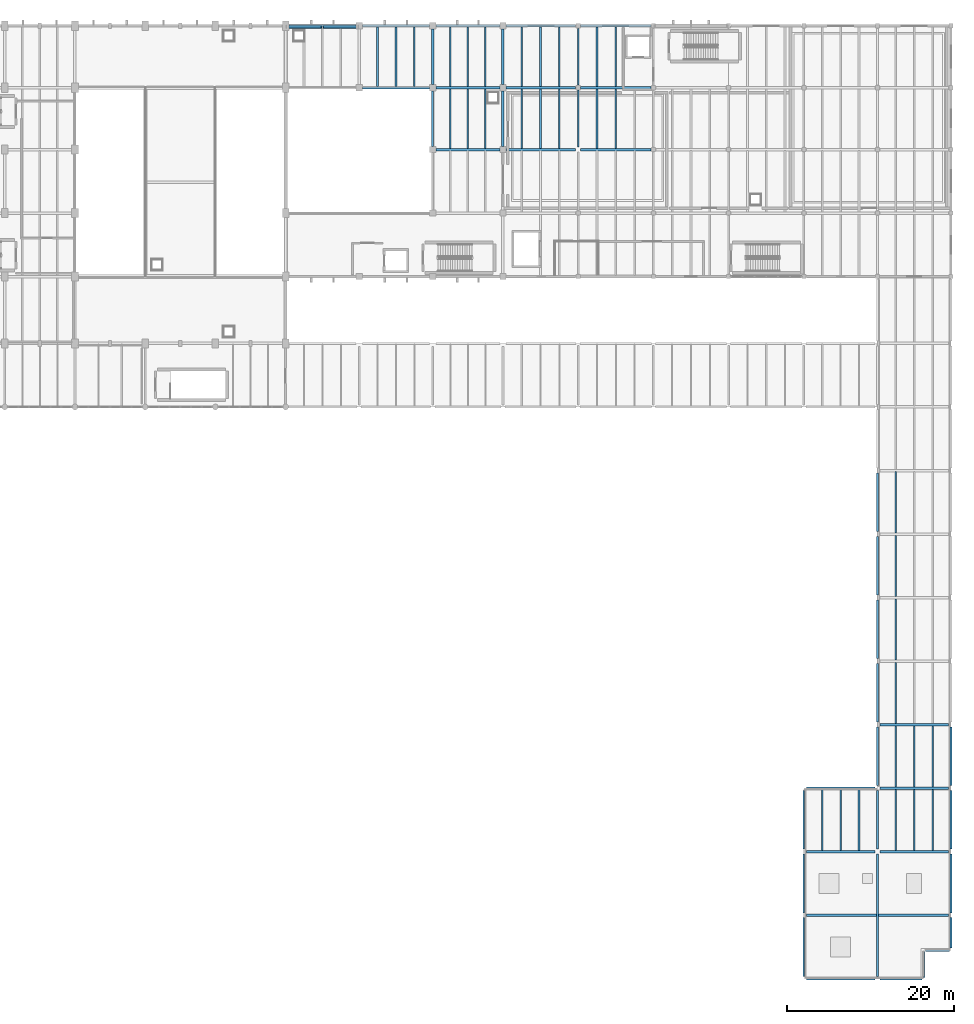
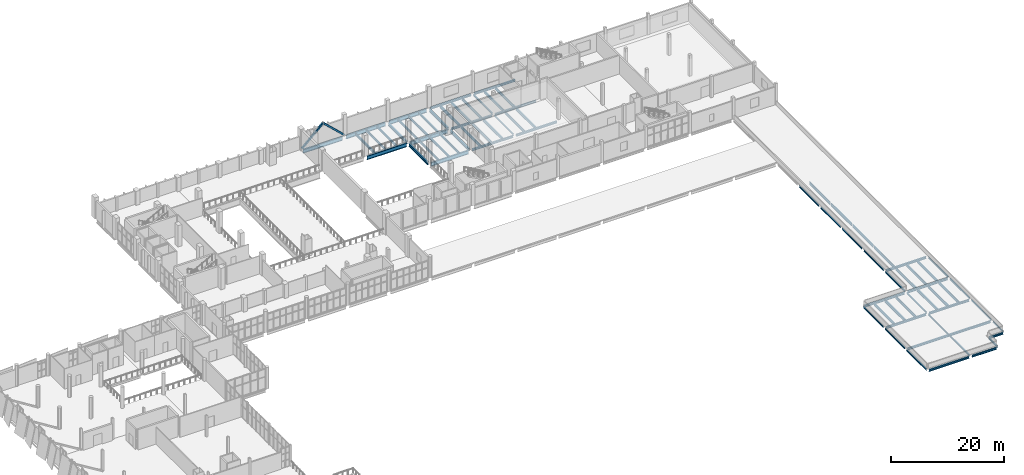
# One storey, part 40 of 74: 74 beams, 2 members.
"""IFC4 building model written with IfcOpenShell, lengths in metres."""

from ifc_helpers import new_model, si_unit, direction, frame, origin, origin_2d, place, context, subcontext, project, spatial, hollow_rectangle, i_section, extrude, material, material_profile, profile_set, type_object, element, save


model = new_model("IFC4")

# Units and contexts
model_context = context("Model", 3, precision=1e-05, world=origin(), true_north=direction((0.0, 1.0)))
body_context = subcontext(model_context, "Body", "Model", "MODEL_VIEW")
ifc_project = project(units=[si_unit("LENGTHUNIT", "METRE"), si_unit("AREAUNIT", "SQUARE_METRE"), si_unit("VOLUMEUNIT", "CUBIC_METRE"), si_unit("PLANEANGLEUNIT", "RADIAN"), si_unit("MASSUNIT", "GRAM", prefix="KILO")], contexts=[model_context])

# Site, building, storey
site_placement = place(None, origin())
site = spatial("IfcSite", under=ifc_project, at=site_placement, CompositionType="ELEMENT")
building_placement = place(site_placement, origin())
building = spatial("IfcBuilding", under=site, at=building_placement, Name="Shengluoqiao Park Theatre", CompositionType="ELEMENT")
storey_placement = place(building_placement, frame((0.0, 0.0, 14.60009765625)))
storey = spatial("IfcBuildingStorey", under=building, at=storey_placement, Name="L03", CompositionType="ELEMENT", Elevation=14.60009765625)

# Beams
ifc_material_1 = material(Name="Steel Q355", Category="steel")
ifc_material_profile_1 = material_profile(ifc_material_1, i_section(OverallWidth=0.199951171875, OverallDepth=0.2939453125, WebThickness=0.008056640625, FlangeThickness=0.011962890625, FilletRadius=0.01611328125, at=origin_2d()), Name="HM 294x200x8x12")
ifc_profile_set_1 = profile_set([ifc_material_profile_1], Name="Steel Q355")
beam_type_1 = type_object("IfcBeamType", Name="STR-BM-G-HM294", PredefinedType="BEAM", material=ifc_profile_set_1)
for number, where, z_axis, x_axis, name in (
    (1, (121.39990234375, 99.493896484375, -0.38720703125), (0.0, 1.0, 0.0), (-1.0, 0.0, 0.0), "L03 Transverse Girder 01389"),
    (2, (121.39990234375, 106.89404296875, -0.38720703125), (0.0, 1.0, 0.0), (-1.0, 0.0, 0.0), "L03 Transverse Girder 01390"),
):
    element("IfcBeam", number, at=place(storey_placement, frame(where, z_axis=z_axis, x_axis=x_axis)), inside=storey, type_object=beam_type_1, Name=name, PredefinedType="BEAM", context=body_context, shape_type="SweptSolid", body=[
        extrude(i_section(OverallWidth=0.199951171875, OverallDepth=0.2939453125, WebThickness=0.008056640625, FlangeThickness=0.011962890625, FilletRadius=0.01611328125, at=origin_2d()), origin(), (0.0, 0.0, 1.0), 6.81201171875),
    ])
for number, where, z_axis, x_axis, name in (
    (3, (148.39990234375, 0.2939453125, -0.397216796875), (0.0, 1.0, 0.0), (-1.0, 0.0, 0.0), "L03 Transverse Girder 01793"),
    (4, (148.39990234375, 7.89404296875, -0.397216796875), (0.0, 1.0, 0.0), (-1.0, 0.0, 0.0), "L03 Transverse Girder 01794"),
):
    element("IfcBeam", number, at=place(storey_placement, frame(where, z_axis=z_axis, x_axis=x_axis)), inside=storey, type_object=beam_type_1, Name=name, PredefinedType="BEAM", context=body_context, shape_type="SweptSolid", body=[
        extrude(i_section(OverallWidth=0.199951171875, OverallDepth=0.2939453125, WebThickness=0.008056640625, FlangeThickness=0.011962890625, FilletRadius=0.01611328125, at=origin_2d()), origin(), (0.0, 0.0, 1.0), 7.011962890625),
    ])
beam_1_placement = place(storey_placement, frame((148.39990234375, 15.493896484375, -0.397216796875), z_axis=(0.0, 1.0, 0.0), x_axis=(-1.0, 0.0, 0.0)))
element("IfcBeam", 5, at=beam_1_placement, inside=storey, type_object=beam_type_1, Name="L03 Transverse Girder 01795", PredefinedType="BEAM", context=body_context, shape_type="SweptSolid", body=[
    extrude(i_section(OverallWidth=0.199951171875, OverallDepth=0.2939453125, WebThickness=0.008056640625, FlangeThickness=0.011962890625, FilletRadius=0.01611328125, at=origin_2d()), origin(), (0.0, 0.0, 1.0), 7.01220703125),
])
beam_2_placement = place(storey_placement, frame((157.199951171875, 0.2939453125, -0.397216796875), z_axis=(0.0, 1.0, 0.0), x_axis=(-1.0, 0.0, 0.0)))
element("IfcBeam", 6, at=beam_2_placement, inside=storey, type_object=beam_type_1, Name="L03 Transverse Girder 01796", PredefinedType="BEAM", context=body_context, shape_type="SweptSolid", body=[
    extrude(i_section(OverallWidth=0.199951171875, OverallDepth=0.2939453125, WebThickness=0.008056640625, FlangeThickness=0.011962890625, FilletRadius=0.01611328125, at=origin_2d()), origin(), (0.0, 0.0, 1.0), 14.612060546875),
])
beam_3_placement = place(storey_placement, frame((157.199951171875, 15.493896484375, -0.397216796875), z_axis=(0.0, 1.0, 0.0), x_axis=(-1.0, 0.0, 0.0)))
element("IfcBeam", 7, at=beam_3_placement, inside=storey, type_object=beam_type_1, Name="L03 Transverse Girder 01797", PredefinedType="BEAM", context=body_context, shape_type="SweptSolid", body=[
    extrude(i_section(OverallWidth=0.199951171875, OverallDepth=0.2939453125, WebThickness=0.008056640625, FlangeThickness=0.011962890625, FilletRadius=0.01611328125, at=origin_2d()), origin(), (0.0, 0.0, 1.0), 7.01220703125),
])
beam_4_placement = place(storey_placement, frame((166.0, 3.694091796875, -0.397216796875), z_axis=(0.0, 1.0, 0.0), x_axis=(-1.0, 0.0, 0.0)))
element("IfcBeam", 8, at=beam_4_placement, inside=storey, type_object=beam_type_1, Name="L03 Transverse Girder 01798", PredefinedType="BEAM", context=body_context, shape_type="SweptSolid", body=[
    extrude(i_section(OverallWidth=0.199951171875, OverallDepth=0.2939453125, WebThickness=0.008056640625, FlangeThickness=0.011962890625, FilletRadius=0.01611328125, at=origin_2d()), origin(), (0.0, 0.0, 1.0), 3.61181640625),
])
beam_5_placement = place(storey_placement, frame((166.0, 7.89404296875, -0.397216796875), z_axis=(0.0, 1.0, 0.0), x_axis=(-1.0, 0.0, 0.0)))
element("IfcBeam", 9, at=beam_5_placement, inside=storey, type_object=beam_type_1, Name="L03 Transverse Girder 01799", PredefinedType="BEAM", context=body_context, shape_type="SweptSolid", body=[
    extrude(i_section(OverallWidth=0.199951171875, OverallDepth=0.2939453125, WebThickness=0.008056640625, FlangeThickness=0.011962890625, FilletRadius=0.01611328125, at=origin_2d()), origin(), (0.0, 0.0, 1.0), 7.011962890625),
])
beam_6_placement = place(storey_placement, frame((166.0, 15.493896484375, -0.397216796875), z_axis=(0.0, 1.0, 0.0), x_axis=(-1.0, 0.0, 0.0)))
element("IfcBeam", 10, at=beam_6_placement, inside=storey, type_object=beam_type_1, Name="L03 Transverse Girder 01800", PredefinedType="BEAM", context=body_context, shape_type="SweptSolid", body=[
    extrude(i_section(OverallWidth=0.199951171875, OverallDepth=0.2939453125, WebThickness=0.008056640625, FlangeThickness=0.011962890625, FilletRadius=0.01611328125, at=origin_2d()), origin(), (0.0, 0.0, 1.0), 7.01220703125),
])
for number, where, z_axis, x_axis, name in (
    (11, (157.199951171875, 23.093994140625, -0.397216796875), (0.0, 1.0, 0.0), (-1.0, 0.0, 0.0), "L03 Transverse Girder 01814"),
    (12, (157.199951171875, 30.694091796875, -0.397216796875), (0.0, 1.0, 0.0), (-1.0, 0.0, 0.0), "L03 Transverse Girder 01815"),
    (13, (157.199951171875, 38.2939453125, -0.397216796875), (0.0, 1.0, 0.0), (-1.0, 0.0, 0.0), "L03 Transverse Girder 01816"),
    (14, (157.199951171875, 45.89404296875, -0.397216796875), (0.0, 1.0, 0.0), (-1.0, 0.0, 0.0), "L03 Transverse Girder 01817"),
):
    element("IfcBeam", number, at=place(storey_placement, frame(where, z_axis=z_axis, x_axis=x_axis)), inside=storey, type_object=beam_type_1, Name=name, PredefinedType="BEAM", context=body_context, shape_type="SweptSolid", body=[
        extrude(i_section(OverallWidth=0.199951171875, OverallDepth=0.2939453125, WebThickness=0.008056640625, FlangeThickness=0.011962890625, FilletRadius=0.01611328125, at=origin_2d()), origin(), (0.0, 0.0, 1.0), 7.011962890625),
    ])
beam_7_placement = place(storey_placement, frame((157.199951171875, 53.493896484375, -0.397216796875), z_axis=(0.0, 1.0, 0.0), x_axis=(-1.0, 0.0, 0.0)))
element("IfcBeam", 15, at=beam_7_placement, inside=storey, type_object=beam_type_1, Name="L03 Transverse Girder 01818", PredefinedType="BEAM", context=body_context, shape_type="SweptSolid", body=[
    extrude(i_section(OverallWidth=0.199951171875, OverallDepth=0.2939453125, WebThickness=0.008056640625, FlangeThickness=0.011962890625, FilletRadius=0.01611328125, at=origin_2d()), origin(), (0.0, 0.0, 1.0), 7.01220703125),
])
beam_8_placement = place(storey_placement, frame((166.0, 23.093994140625, -0.397216796875), z_axis=(0.0, 1.0, 0.0), x_axis=(-1.0, 0.0, 0.0)))
element("IfcBeam", 16, at=beam_8_placement, inside=storey, type_object=beam_type_1, Name="L03 Transverse Girder 01822", PredefinedType="BEAM", context=body_context, shape_type="SweptSolid", body=[
    extrude(i_section(OverallWidth=0.199951171875, OverallDepth=0.2939453125, WebThickness=0.008056640625, FlangeThickness=0.011962890625, FilletRadius=0.01611328125, at=origin_2d()), origin(), (0.0, 0.0, 1.0), 7.011962890625),
])
beam_9_placement = place(storey_placement, frame((162.800048828125, 0.159912109375, -0.397216796875), z_axis=(0.0, 1.0, 0.0), x_axis=(-1.0, 0.0, 0.0)))
element("IfcBeam", 17, at=beam_9_placement, inside=storey, type_object=beam_type_1, Name="L03 V6 Corner Step Girder 013", PredefinedType="BEAM", context=body_context, shape_type="SweptSolid", body=[
    extrude(i_section(OverallWidth=0.199951171875, OverallDepth=0.2939453125, WebThickness=0.008056640625, FlangeThickness=0.011962890625, FilletRadius=0.01611328125, at=origin_2d()), origin(), (0.0, 0.0, 1.0), 3.080078125),
])
ifc_material_profile_2 = material_profile(ifc_material_1, i_section(OverallWidth=0.300048828125, OverallDepth=0.43994140625, WebThickness=0.010986328125, FlangeThickness=0.01806640625, FilletRadius=0.02001953125, at=origin_2d()), Name="HM 440x300x11x18")
ifc_profile_set_2 = profile_set([ifc_material_profile_2], Name="Steel Q355")
beam_type_2 = type_object("IfcBeamType", Name="STR-BM-G-HM440", PredefinedType="BEAM", material=ifc_profile_set_2)
beam_10_placement = place(storey_placement, frame((112.76904296875, 99.199951171875, -0.460205078125), z_axis=(1.0, 0.0, 0.0), x_axis=(0.0, 1.0, 0.0)))
element("IfcBeam", 18, at=beam_10_placement, inside=storey, type_object=beam_type_2, Name="L03 Primary Girder 01378", PredefinedType="BEAM", context=body_context, shape_type="SweptSolid", body=[
    extrude(i_section(OverallWidth=0.300048828125, OverallDepth=0.43994140625, WebThickness=0.010986328125, FlangeThickness=0.01806640625, FilletRadius=0.02001953125, at=origin_2d()), origin(), (0.0, 0.0, 1.0), 8.3369140625),
])
beam_11_placement = place(storey_placement, frame((121.694091796875, 99.199951171875, -0.460205078125), z_axis=(1.0, 0.0, 0.0), x_axis=(0.0, 1.0, 0.0)))
element("IfcBeam", 19, at=beam_11_placement, inside=storey, type_object=beam_type_2, Name="L03 Primary Girder 01379", PredefinedType="BEAM", context=body_context, shape_type="SweptSolid", body=[
    extrude(i_section(OverallWidth=0.300048828125, OverallDepth=0.43994140625, WebThickness=0.010986328125, FlangeThickness=0.01806640625, FilletRadius=0.02001953125, at=origin_2d()), origin(), (0.0, 0.0, 1.0), 8.411865234375),
])
beam_12_placement = place(storey_placement, frame((112.76904296875, 106.60009765625, -0.460205078125), z_axis=(1.0, 0.0, 0.0), x_axis=(0.0, 1.0, 0.0)))
element("IfcBeam", 20, at=beam_12_placement, inside=storey, type_object=beam_type_2, Name="L03 Primary Girder 01381", PredefinedType="BEAM", context=body_context, shape_type="SweptSolid", body=[
    extrude(i_section(OverallWidth=0.300048828125, OverallDepth=0.43994140625, WebThickness=0.010986328125, FlangeThickness=0.01806640625, FilletRadius=0.02001953125, at=origin_2d()), origin(), (0.0, 0.0, 1.0), 8.3369140625),
])
beam_13_placement = place(storey_placement, frame((121.694091796875, 106.60009765625, -0.460205078125), z_axis=(1.0, 0.0, 0.0), x_axis=(0.0, 1.0, 0.0)))
element("IfcBeam", 21, at=beam_13_placement, inside=storey, type_object=beam_type_2, Name="L03 Primary Girder 01382", PredefinedType="BEAM", context=body_context, shape_type="SweptSolid", body=[
    extrude(i_section(OverallWidth=0.300048828125, OverallDepth=0.43994140625, WebThickness=0.010986328125, FlangeThickness=0.01806640625, FilletRadius=0.02001953125, at=origin_2d()), origin(), (0.0, 0.0, 1.0), 8.411865234375),
])
beam_14_placement = place(storey_placement, frame((112.76904296875, 114.0, -0.460205078125), z_axis=(1.0, 0.0, 0.0), x_axis=(0.0, 1.0, 0.0)))
element("IfcBeam", 22, at=beam_14_placement, inside=storey, type_object=beam_type_2, Name="L03 Primary Girder 01384", PredefinedType="BEAM", context=body_context, shape_type="SweptSolid", body=[
    extrude(i_section(OverallWidth=0.300048828125, OverallDepth=0.43994140625, WebThickness=0.010986328125, FlangeThickness=0.01806640625, FilletRadius=0.02001953125, at=origin_2d()), origin(), (0.0, 0.0, 1.0), 8.3369140625),
])
beam_15_placement = place(storey_placement, frame((121.694091796875, 114.0, -0.460205078125), z_axis=(1.0, 0.0, 0.0), x_axis=(0.0, 1.0, 0.0)))
element("IfcBeam", 23, at=beam_15_placement, inside=storey, type_object=beam_type_2, Name="L03 Primary Girder 01385", PredefinedType="BEAM", context=body_context, shape_type="SweptSolid", body=[
    extrude(i_section(OverallWidth=0.300048828125, OverallDepth=0.43994140625, WebThickness=0.010986328125, FlangeThickness=0.01806640625, FilletRadius=0.02001953125, at=origin_2d()), origin(), (0.0, 0.0, 1.0), 8.411865234375),
])
beam_16_placement = place(storey_placement, frame((148.694091796875, 0.0, -0.47021484375), z_axis=(1.0, 0.0, 0.0), x_axis=(0.0, 1.0, 0.0)))
element("IfcBeam", 24, at=beam_16_placement, inside=storey, type_object=beam_type_2, Name="L03 Primary Girder 01786", PredefinedType="BEAM", context=body_context, shape_type="SweptSolid", body=[
    extrude(i_section(OverallWidth=0.300048828125, OverallDepth=0.43994140625, WebThickness=0.010986328125, FlangeThickness=0.01806640625, FilletRadius=0.02001953125, at=origin_2d()), origin(), (0.0, 0.0, 1.0), 8.2119140625),
])
beam_17_placement = place(storey_placement, frame((157.493896484375, 0.0, -0.47021484375), z_axis=(1.0, 0.0, 0.0), x_axis=(0.0, 1.0, 0.0)))
element("IfcBeam", 25, at=beam_17_placement, inside=storey, type_object=beam_type_2, Name="L03 Primary Girder 01787", PredefinedType="BEAM", context=body_context, shape_type="SweptSolid", body=[
    extrude(i_section(OverallWidth=0.300048828125, OverallDepth=0.43994140625, WebThickness=0.010986328125, FlangeThickness=0.01806640625, FilletRadius=0.02001953125, at=origin_2d()), origin(), (0.0, 0.0, 1.0), 5.01220703125),
])
beam_18_placement = place(storey_placement, frame((148.694091796875, 7.60009765625, -0.47021484375), z_axis=(1.0, 0.0, 0.0), x_axis=(0.0, 1.0, 0.0)))
element("IfcBeam", 26, at=beam_18_placement, inside=storey, type_object=beam_type_2, Name="L03 Primary Girder 01788", PredefinedType="BEAM", context=body_context, shape_type="SweptSolid", body=[
    extrude(i_section(OverallWidth=0.300048828125, OverallDepth=0.43994140625, WebThickness=0.010986328125, FlangeThickness=0.01806640625, FilletRadius=0.02001953125, at=origin_2d()), origin(), (0.0, 0.0, 1.0), 17.011962890625),
])
beam_19_placement = place(storey_placement, frame((148.694091796875, 15.199951171875, -0.47021484375), z_axis=(1.0, 0.0, 0.0), x_axis=(0.0, 1.0, 0.0)))
element("IfcBeam", 27, at=beam_19_placement, inside=storey, type_object=beam_type_2, Name="L03 Primary Girder 01789", PredefinedType="BEAM", context=body_context, shape_type="SweptSolid", body=[
    extrude(i_section(OverallWidth=0.300048828125, OverallDepth=0.43994140625, WebThickness=0.010986328125, FlangeThickness=0.01806640625, FilletRadius=0.02001953125, at=origin_2d()), origin(), (0.0, 0.0, 1.0), 8.2119140625),
])
beam_20_placement = place(storey_placement, frame((157.493896484375, 15.199951171875, -0.47021484375), z_axis=(1.0, 0.0, 0.0), x_axis=(0.0, 1.0, 0.0)))
element("IfcBeam", 28, at=beam_20_placement, inside=storey, type_object=beam_type_2, Name="L03 Primary Girder 01790", PredefinedType="BEAM", context=body_context, shape_type="SweptSolid", body=[
    extrude(i_section(OverallWidth=0.300048828125, OverallDepth=0.43994140625, WebThickness=0.010986328125, FlangeThickness=0.01806640625, FilletRadius=0.02001953125, at=origin_2d()), origin(), (0.0, 0.0, 1.0), 8.212158203125),
])
beam_21_placement = place(storey_placement, frame((148.694091796875, 22.800048828125, -0.47021484375), z_axis=(1.0, 0.0, 0.0), x_axis=(0.0, 1.0, 0.0)))
element("IfcBeam", 29, at=beam_21_placement, inside=storey, type_object=beam_type_2, Name="L03 Primary Girder 01791", PredefinedType="BEAM", context=body_context, shape_type="SweptSolid", body=[
    extrude(i_section(OverallWidth=0.300048828125, OverallDepth=0.43994140625, WebThickness=0.010986328125, FlangeThickness=0.01806640625, FilletRadius=0.02001953125, at=origin_2d()), origin(), (0.0, 0.0, 1.0), 8.2119140625),
])
for number, where, z_axis, x_axis, name in (
    (30, (157.493896484375, 22.800048828125, -0.47021484375), (1.0, 0.0, 0.0), (0.0, 1.0, 0.0), "L03 Primary Girder 01792"),
    (31, (157.493896484375, 30.39990234375, -0.47021484375), (1.0, 0.0, 0.0), (0.0, 1.0, 0.0), "L03 Primary Girder 01807"),
):
    element("IfcBeam", number, at=place(storey_placement, frame(where, z_axis=z_axis, x_axis=x_axis)), inside=storey, type_object=beam_type_2, Name=name, PredefinedType="BEAM", context=body_context, shape_type="SweptSolid", body=[
        extrude(i_section(OverallWidth=0.300048828125, OverallDepth=0.43994140625, WebThickness=0.010986328125, FlangeThickness=0.01806640625, FilletRadius=0.02001953125, at=origin_2d()), origin(), (0.0, 0.0, 1.0), 8.212158203125),
    ])
beam_22_placement = place(storey_placement, frame((162.9599609375, 3.39990234375, -0.47021484375), z_axis=(1.0, 0.0, 0.0), x_axis=(0.0, 1.0, 0.0)))
element("IfcBeam", 32, at=beam_22_placement, inside=storey, type_object=beam_type_2, Name="L03 V6 Corner Step Girder 014", PredefinedType="BEAM", context=body_context, shape_type="SweptSolid", body=[
    extrude(i_section(OverallWidth=0.300048828125, OverallDepth=0.43994140625, WebThickness=0.010986328125, FlangeThickness=0.01806640625, FilletRadius=0.02001953125, at=origin_2d()), origin(), (0.0, 0.0, 1.0), 2.880126953125),
])
ifc_material_profile_3 = material_profile(ifc_material_1, i_section(OverallWidth=0.300048828125, OverallDepth=0.58203125, WebThickness=0.011962890625, FlangeThickness=0.01708984375, FilletRadius=0.02392578125, at=origin_2d()), Name="HM 582x300x12x17")
ifc_profile_set_3 = profile_set([ifc_material_profile_3], Name="Steel Q355")
beam_type_3 = type_object("IfcBeamType", Name="STR-BM-G-HM582", PredefinedType="BEAM", material=ifc_profile_set_3)
for number, where, z_axis, x_axis, name in (
    (33, (104.0, 106.968994140625, -0.531005859375), (0.0, 1.0, 0.0), (-1.0, 0.0, 0.0), "L03 Transverse Girder 01268"),
    (34, (112.39990234375, 106.968994140625, -0.531005859375), (0.0, 1.0, 0.0), (-1.0, 0.0, 0.0), "L03 Transverse Girder 01269"),
):
    element("IfcBeam", number, at=place(storey_placement, frame(where, z_axis=z_axis, x_axis=x_axis)), inside=storey, type_object=beam_type_3, Name=name, PredefinedType="BEAM", context=body_context, shape_type="SweptSolid", body=[
        extrude(i_section(OverallWidth=0.300048828125, OverallDepth=0.58203125, WebThickness=0.011962890625, FlangeThickness=0.01708984375, FilletRadius=0.02392578125, at=origin_2d()), origin(), (0.0, 0.0, 1.0), 6.662109375),
    ])
for number, where, z_axis, x_axis, name in (
    (35, (104.0, 99.569091796875, -0.531005859375), (0.0, 1.0, 0.0), (-1.0, 0.0, 0.0), "L03 Transverse Girder 01281"),
    (36, (112.39990234375, 99.569091796875, -0.531005859375), (0.0, 1.0, 0.0), (-1.0, 0.0, 0.0), "L03 Transverse Girder 01283"),
):
    element("IfcBeam", number, at=place(storey_placement, frame(where, z_axis=z_axis, x_axis=x_axis)), inside=storey, type_object=beam_type_3, Name=name, PredefinedType="BEAM", context=body_context, shape_type="SweptSolid", body=[
        extrude(i_section(OverallWidth=0.300048828125, OverallDepth=0.58203125, WebThickness=0.011962890625, FlangeThickness=0.01708984375, FilletRadius=0.02392578125, at=origin_2d()), origin(), (0.0, 0.0, 1.0), 6.661865234375),
    ])
ifc_material_2 = material(Name="Steel Q390", Category="steel")
ifc_material_profile_4 = material_profile(ifc_material_2, i_section(OverallWidth=0.300048828125, OverallDepth=0.800048828125, WebThickness=0.013916015625, FlangeThickness=0.02587890625, FilletRadius=0.02587890625, at=origin_2d()), Name="HN 800x300x14x26")
ifc_profile_set_4 = profile_set([ifc_material_profile_4], Name="Steel Q390")
beam_type_4 = type_object("IfcBeamType", Name="STR-BM-G-HN800", PredefinedType="BEAM", material=ifc_profile_set_4)
beam_23_placement = place(storey_placement, frame((95.569091796875, 106.60009765625, -0.64013671875), z_axis=(1.0, 0.0, 0.0), x_axis=(0.0, 1.0, 0.0)))
element("IfcBeam", 37, at=beam_23_placement, inside=storey, type_object=beam_type_4, Name="L03 Primary Girder 01262", PredefinedType="BEAM", context=body_context, shape_type="SweptSolid", body=[
    extrude(i_section(OverallWidth=0.300048828125, OverallDepth=0.800048828125, WebThickness=0.013916015625, FlangeThickness=0.02587890625, FilletRadius=0.02587890625, at=origin_2d()), origin(), (0.0, 0.0, 1.0), 8.06201171875),
])
beam_24_placement = place(storey_placement, frame((104.368896484375, 106.60009765625, -0.64013671875), z_axis=(1.0, 0.0, 0.0), x_axis=(0.0, 1.0, 0.0)))
element("IfcBeam", 38, at=beam_24_placement, inside=storey, type_object=beam_type_4, Name="L03 Primary Girder 01263", PredefinedType="BEAM", context=body_context, shape_type="SweptSolid", body=[
    extrude(i_section(OverallWidth=0.300048828125, OverallDepth=0.800048828125, WebThickness=0.013916015625, FlangeThickness=0.02587890625, FilletRadius=0.02587890625, at=origin_2d()), origin(), (0.0, 0.0, 1.0), 7.662109375),
])
beam_25_placement = place(storey_placement, frame((86.7939453125, 114.0, -0.650146484375), z_axis=(1.0, 0.0, 0.0), x_axis=(0.0, 1.0, 0.0)))
element("IfcBeam", 39, at=beam_25_placement, inside=storey, type_object=beam_type_4, Name="L03 Primary Girder 01264", PredefinedType="BEAM", context=body_context, shape_type="SweptSolid", body=[
    extrude(i_section(OverallWidth=0.300048828125, OverallDepth=0.800048828125, WebThickness=0.013916015625, FlangeThickness=0.02587890625, FilletRadius=0.02587890625, at=origin_2d()), origin(), (0.0, 0.0, 1.0), 8.037109375),
])
beam_26_placement = place(storey_placement, frame((95.569091796875, 114.0, -0.64013671875), z_axis=(1.0, 0.0, 0.0), x_axis=(0.0, 1.0, 0.0)))
element("IfcBeam", 40, at=beam_26_placement, inside=storey, type_object=beam_type_4, Name="L03 Primary Girder 01265", PredefinedType="BEAM", context=body_context, shape_type="SweptSolid", body=[
    extrude(i_section(OverallWidth=0.300048828125, OverallDepth=0.800048828125, WebThickness=0.013916015625, FlangeThickness=0.02587890625, FilletRadius=0.02587890625, at=origin_2d()), origin(), (0.0, 0.0, 1.0), 8.06201171875),
])
for number, where, z_axis, x_axis, name in (
    (41, (104.368896484375, 114.0, -0.64013671875), (1.0, 0.0, 0.0), (0.0, 1.0, 0.0), "L03 Primary Girder 01266"),
    (42, (104.368896484375, 99.199951171875, -0.64013671875), (1.0, 0.0, 0.0), (0.0, 1.0, 0.0), "L03 Primary Girder 01279"),
):
    element("IfcBeam", number, at=place(storey_placement, frame(where, z_axis=z_axis, x_axis=x_axis)), inside=storey, type_object=beam_type_4, Name=name, PredefinedType="BEAM", context=body_context, shape_type="SweptSolid", body=[
        extrude(i_section(OverallWidth=0.300048828125, OverallDepth=0.800048828125, WebThickness=0.013916015625, FlangeThickness=0.02587890625, FilletRadius=0.02587890625, at=origin_2d()), origin(), (0.0, 0.0, 1.0), 7.662109375),
    ])
ifc_material_profile_5 = material_profile(ifc_material_1, i_section(OverallWidth=0.199951171875, OverallDepth=0.5, WebThickness=0.010009765625, FlangeThickness=0.01611328125, FilletRadius=0.01806640625, at=origin_2d()), Name="HN 500x200x10x16")
ifc_profile_set_5 = profile_set([ifc_material_profile_5], Name="Steel Q355")
beam_type_5 = type_object("IfcBeamType", Name="STR-BM-J-HN500", PredefinedType="JOIST", material=ifc_profile_set_5)
for number, where, z_axis, x_axis, name in (
    (43, (97.39990234375, 106.7451171875, -0.489990234375), (0.0, 1.0, 0.0), (-1.0, 0.0, 0.0), "L03 Composite Joist 01273"),
    (44, (99.60009765625, 106.7451171875, -0.489990234375), (0.0, 1.0, 0.0), (-1.0, 0.0, 0.0), "L03 Composite Joist 01274"),
    (45, (101.800048828125, 106.7451171875, -0.489990234375), (0.0, 1.0, 0.0), (-1.0, 0.0, 0.0), "L03 Composite Joist 01275"),
    (46, (106.10009765625, 106.7451171875, -0.489990234375), (0.0, 1.0, 0.0), (-1.0, 0.0, 0.0), "L03 Composite Joist 01276"),
    (47, (108.199951171875, 106.7451171875, -0.489990234375), (0.0, 1.0, 0.0), (-1.0, 0.0, 0.0), "L03 Composite Joist 01277"),
    (48, (110.300048828125, 106.7451171875, -0.489990234375), (0.0, 1.0, 0.0), (-1.0, 0.0, 0.0), "L03 Composite Joist 01278"),
):
    element("IfcBeam", number, at=place(storey_placement, frame(where, z_axis=z_axis, x_axis=x_axis)), inside=storey, type_object=beam_type_5, Name=name, PredefinedType="JOIST", context=body_context, shape_type="SweptSolid", body=[
        extrude(i_section(OverallWidth=0.199951171875, OverallDepth=0.5, WebThickness=0.010009765625, FlangeThickness=0.01611328125, FilletRadius=0.01806640625, at=origin_2d()), origin(), (0.0, 0.0, 1.0), 7.10986328125),
    ])
for number, where, z_axis, x_axis, name in (
    (49, (106.10009765625, 99.344970703125, -0.489990234375), (0.0, 1.0, 0.0), (-1.0, 0.0, 0.0), "L03 Composite Joist 01287"),
    (50, (108.199951171875, 99.344970703125, -0.489990234375), (0.0, 1.0, 0.0), (-1.0, 0.0, 0.0), "L03 Composite Joist 01288"),
    (51, (110.300048828125, 99.344970703125, -0.489990234375), (0.0, 1.0, 0.0), (-1.0, 0.0, 0.0), "L03 Composite Joist 01289"),
):
    element("IfcBeam", number, at=place(storey_placement, frame(where, z_axis=z_axis, x_axis=x_axis)), inside=storey, type_object=beam_type_5, Name=name, PredefinedType="JOIST", context=body_context, shape_type="SweptSolid", body=[
        extrude(i_section(OverallWidth=0.199951171875, OverallDepth=0.5, WebThickness=0.010009765625, FlangeThickness=0.01611328125, FilletRadius=0.01806640625, at=origin_2d()), origin(), (0.0, 0.0, 1.0), 7.110107421875),
    ])
ifc_material_profile_6 = material_profile(ifc_material_1, i_section(OverallWidth=0.199951171875, OverallDepth=0.60009765625, WebThickness=0.010986328125, FlangeThickness=0.01708984375, FilletRadius=0.02001953125, at=origin_2d()), Name="HN 600x200x11x17")
ifc_profile_set_6 = profile_set([ifc_material_profile_6], Name="Steel Q355")
beam_type_6 = type_object("IfcBeamType", Name="STR-BM-J-HN600", PredefinedType="JOIST", material=ifc_profile_set_6)
for number, where, z_axis, x_axis, name in (
    (52, (114.64990234375, 99.344970703125, -0.5400390625), (0.0, 1.0, 0.0), (-1.0, 0.0, 0.0), "L03 Composite Joist 01403"),
    (53, (116.89990234375, 99.344970703125, -0.5400390625), (0.0, 1.0, 0.0), (-1.0, 0.0, 0.0), "L03 Composite Joist 01404"),
    (54, (119.14990234375, 99.344970703125, -0.5400390625), (0.0, 1.0, 0.0), (-1.0, 0.0, 0.0), "L03 Composite Joist 01405"),
):
    element("IfcBeam", number, at=place(storey_placement, frame(where, z_axis=z_axis, x_axis=x_axis)), inside=storey, type_object=beam_type_6, Name=name, PredefinedType="JOIST", context=body_context, shape_type="SweptSolid", body=[
        extrude(i_section(OverallWidth=0.199951171875, OverallDepth=0.60009765625, WebThickness=0.010986328125, FlangeThickness=0.01708984375, FilletRadius=0.02001953125, at=origin_2d()), origin(), (0.0, 0.0, 1.0), 7.110107421875),
    ])
for number, where, z_axis, x_axis, name in (
    (55, (114.64990234375, 106.7451171875, -0.5400390625), (0.0, 1.0, 0.0), (-1.0, 0.0, 0.0), "L03 Composite Joist 01406"),
    (56, (116.89990234375, 106.7451171875, -0.5400390625), (0.0, 1.0, 0.0), (-1.0, 0.0, 0.0), "L03 Composite Joist 01407"),
    (57, (119.14990234375, 106.7451171875, -0.5400390625), (0.0, 1.0, 0.0), (-1.0, 0.0, 0.0), "L03 Composite Joist 01408"),
):
    element("IfcBeam", number, at=place(storey_placement, frame(where, z_axis=z_axis, x_axis=x_axis)), inside=storey, type_object=beam_type_6, Name=name, PredefinedType="JOIST", context=body_context, shape_type="SweptSolid", body=[
        extrude(i_section(OverallWidth=0.199951171875, OverallDepth=0.60009765625, WebThickness=0.010986328125, FlangeThickness=0.01708984375, FilletRadius=0.02001953125, at=origin_2d()), origin(), (0.0, 0.0, 1.0), 7.10986328125),
    ])
for number, where, z_axis, x_axis, name in (
    (58, (123.64990234375, 99.344970703125, -0.5400390625), (0.0, 1.0, 0.0), (-1.0, 0.0, 0.0), "L03 Composite Joist 01415"),
    (59, (125.89990234375, 99.344970703125, -0.5400390625), (0.0, 1.0, 0.0), (-1.0, 0.0, 0.0), "L03 Composite Joist 01416"),
):
    element("IfcBeam", number, at=place(storey_placement, frame(where, z_axis=z_axis, x_axis=x_axis)), inside=storey, type_object=beam_type_6, Name=name, PredefinedType="JOIST", context=body_context, shape_type="SweptSolid", body=[
        extrude(i_section(OverallWidth=0.199951171875, OverallDepth=0.60009765625, WebThickness=0.010986328125, FlangeThickness=0.01708984375, FilletRadius=0.02001953125, at=origin_2d()), origin(), (0.0, 0.0, 1.0), 7.110107421875),
    ])
for number, where, z_axis, x_axis, name in (
    (60, (123.64990234375, 106.7451171875, -0.5400390625), (0.0, 1.0, 0.0), (-1.0, 0.0, 0.0), "L03 Composite Joist 01418"),
    (61, (125.89990234375, 106.7451171875, -0.5400390625), (0.0, 1.0, 0.0), (-1.0, 0.0, 0.0), "L03 Composite Joist 01419"),
):
    element("IfcBeam", number, at=place(storey_placement, frame(where, z_axis=z_axis, x_axis=x_axis)), inside=storey, type_object=beam_type_6, Name=name, PredefinedType="JOIST", context=body_context, shape_type="SweptSolid", body=[
        extrude(i_section(OverallWidth=0.199951171875, OverallDepth=0.60009765625, WebThickness=0.010986328125, FlangeThickness=0.01708984375, FilletRadius=0.02001953125, at=origin_2d()), origin(), (0.0, 0.0, 1.0), 7.10986328125),
    ])
for number, where, z_axis, x_axis, name in (
    (62, (150.60009765625, 15.344970703125, -0.550048828125), (0.0, 1.0, 0.0), (-1.0, 0.0, 0.0), "L03 Composite Joist 01801"),
    (63, (152.800048828125, 15.344970703125, -0.550048828125), (0.0, 1.0, 0.0), (-1.0, 0.0, 0.0), "L03 Composite Joist 01802"),
    (64, (155.0, 15.344970703125, -0.550048828125), (0.0, 1.0, 0.0), (-1.0, 0.0, 0.0), "L03 Composite Joist 01803"),
    (65, (159.39990234375, 15.344970703125, -0.550048828125), (0.0, 1.0, 0.0), (-1.0, 0.0, 0.0), "L03 Composite Joist 01804"),
    (66, (161.60009765625, 15.344970703125, -0.550048828125), (0.0, 1.0, 0.0), (-1.0, 0.0, 0.0), "L03 Composite Joist 01805"),
    (67, (163.800048828125, 15.344970703125, -0.550048828125), (0.0, 1.0, 0.0), (-1.0, 0.0, 0.0), "L03 Composite Joist 01806"),
):
    element("IfcBeam", number, at=place(storey_placement, frame(where, z_axis=z_axis, x_axis=x_axis)), inside=storey, type_object=beam_type_6, Name=name, PredefinedType="JOIST", context=body_context, shape_type="SweptSolid", body=[
        extrude(i_section(OverallWidth=0.199951171875, OverallDepth=0.60009765625, WebThickness=0.010986328125, FlangeThickness=0.01708984375, FilletRadius=0.02001953125, at=origin_2d()), origin(), (0.0, 0.0, 1.0), 7.31005859375),
    ])
for number, where, z_axis, x_axis, name in (
    (68, (159.39990234375, 22.945068359375, -0.550048828125), (0.0, 1.0, 0.0), (-1.0, 0.0, 0.0), "L03 Composite Joist 01830"),
    (69, (161.60009765625, 22.945068359375, -0.550048828125), (0.0, 1.0, 0.0), (-1.0, 0.0, 0.0), "L03 Composite Joist 01831"),
    (70, (163.800048828125, 22.945068359375, -0.550048828125), (0.0, 1.0, 0.0), (-1.0, 0.0, 0.0), "L03 Composite Joist 01832"),
):
    element("IfcBeam", number, at=place(storey_placement, frame(where, z_axis=z_axis, x_axis=x_axis)), inside=storey, type_object=beam_type_6, Name=name, PredefinedType="JOIST", context=body_context, shape_type="SweptSolid", body=[
        extrude(i_section(OverallWidth=0.199951171875, OverallDepth=0.60009765625, WebThickness=0.010986328125, FlangeThickness=0.01708984375, FilletRadius=0.02001953125, at=origin_2d()), origin(), (0.0, 0.0, 1.0), 7.309814453125),
    ])
for number, where, z_axis, x_axis, name in (
    (71, (159.39990234375, 30.544921875, -0.550048828125), (0.0, 1.0, 0.0), (-1.0, 0.0, 0.0), "L03 Composite Joist 01833"),
    (72, (159.39990234375, 38.14501953125, -0.550048828125), (0.0, 1.0, 0.0), (-1.0, 0.0, 0.0), "L03 Composite Joist 01836"),
):
    element("IfcBeam", number, at=place(storey_placement, frame(where, z_axis=z_axis, x_axis=x_axis)), inside=storey, type_object=beam_type_6, Name=name, PredefinedType="JOIST", context=body_context, shape_type="SweptSolid", body=[
        extrude(i_section(OverallWidth=0.199951171875, OverallDepth=0.60009765625, WebThickness=0.010986328125, FlangeThickness=0.01708984375, FilletRadius=0.02001953125, at=origin_2d()), origin(), (0.0, 0.0, 1.0), 7.31005859375),
    ])
beam_27_placement = place(storey_placement, frame((159.39990234375, 45.7451171875, -0.550048828125), z_axis=(0.0, 1.0, 0.0), x_axis=(-1.0, 0.0, 0.0)))
element("IfcBeam", 73, at=beam_27_placement, inside=storey, type_object=beam_type_6, Name="L03 Composite Joist 01839", PredefinedType="JOIST", context=body_context, shape_type="SweptSolid", body=[
    extrude(i_section(OverallWidth=0.199951171875, OverallDepth=0.60009765625, WebThickness=0.010986328125, FlangeThickness=0.01708984375, FilletRadius=0.02001953125, at=origin_2d()), origin(), (0.0, 0.0, 1.0), 7.309814453125),
])
beam_28_placement = place(storey_placement, frame((159.39990234375, 53.344970703125, -0.550048828125), z_axis=(0.0, 1.0, 0.0), x_axis=(-1.0, 0.0, 0.0)))
element("IfcBeam", 74, at=beam_28_placement, inside=storey, type_object=beam_type_6, Name="L03 Composite Joist 01842", PredefinedType="JOIST", context=body_context, shape_type="SweptSolid", body=[
    extrude(i_section(OverallWidth=0.199951171875, OverallDepth=0.60009765625, WebThickness=0.010986328125, FlangeThickness=0.01708984375, FilletRadius=0.02001953125, at=origin_2d()), origin(), (0.0, 0.0, 1.0), 7.31005859375),
])

# Members
ifc_material_profile_7 = material_profile(ifc_material_2, hollow_rectangle(XDim=0.35009765625, YDim=0.35009765625, WallThickness=0.01611328125, InnerFilletRadius=0.01611328125, OuterFilletRadius=0.031982421875, at=origin_2d()), Name="RHS 350x350x16")
ifc_profile_set_7 = profile_set([ifc_material_profile_7], Name="Steel Q390")
member_type = type_object("IfcMemberType", Name="STR-MEM-BRR-350", PredefinedType="BRACE", material=ifc_profile_set_7)
for number, where, z_axis, x_axis, name in (
    (75, (86.488037109375, 113.8798828125, 0.102294921875), (0.728207292411, 0.0, 0.685356942972), (0.0, 1.0, 0.0), "L03 Chevron Brace 0007"),
    (76, (95.112060546875, 113.8798828125, 0.102294921875), (-0.728207292411, 0.0, 0.685356942972), (0.0, -1.0, 0.0), "L03 Chevron Brace 0008"),
):
    element("IfcMember", number, at=place(storey_placement, frame(where, z_axis=z_axis, x_axis=x_axis)), inside=storey, type_object=member_type, Name=name, PredefinedType="BRACE", context=body_context, shape_type="SweptSolid", body=[
        extrude(hollow_rectangle(XDim=0.35009765625, YDim=0.35009765625, WallThickness=0.01611328125, InnerFilletRadius=0.01611328125, OuterFilletRadius=0.031982421875, at=origin_2d()), origin(), (0.0, 0.0, 1.0), 5.89111328125),
    ])

save(model, "model.ifc")
